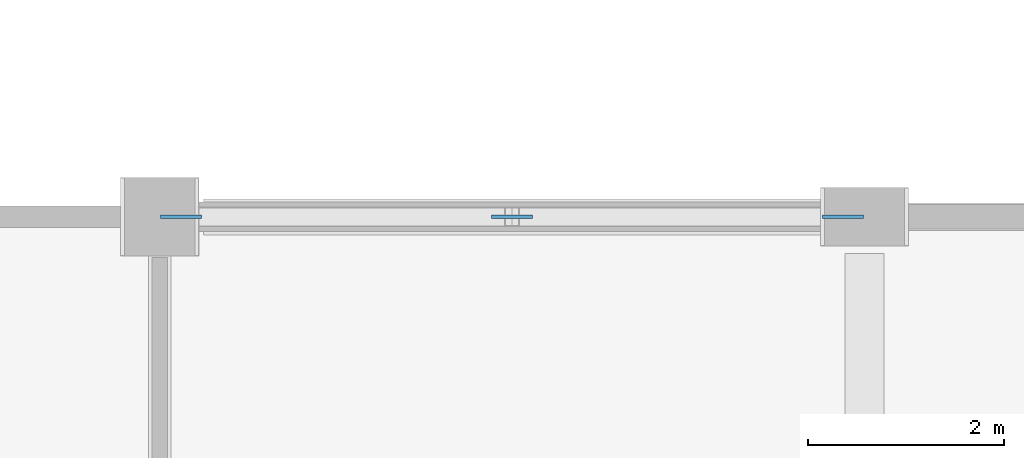
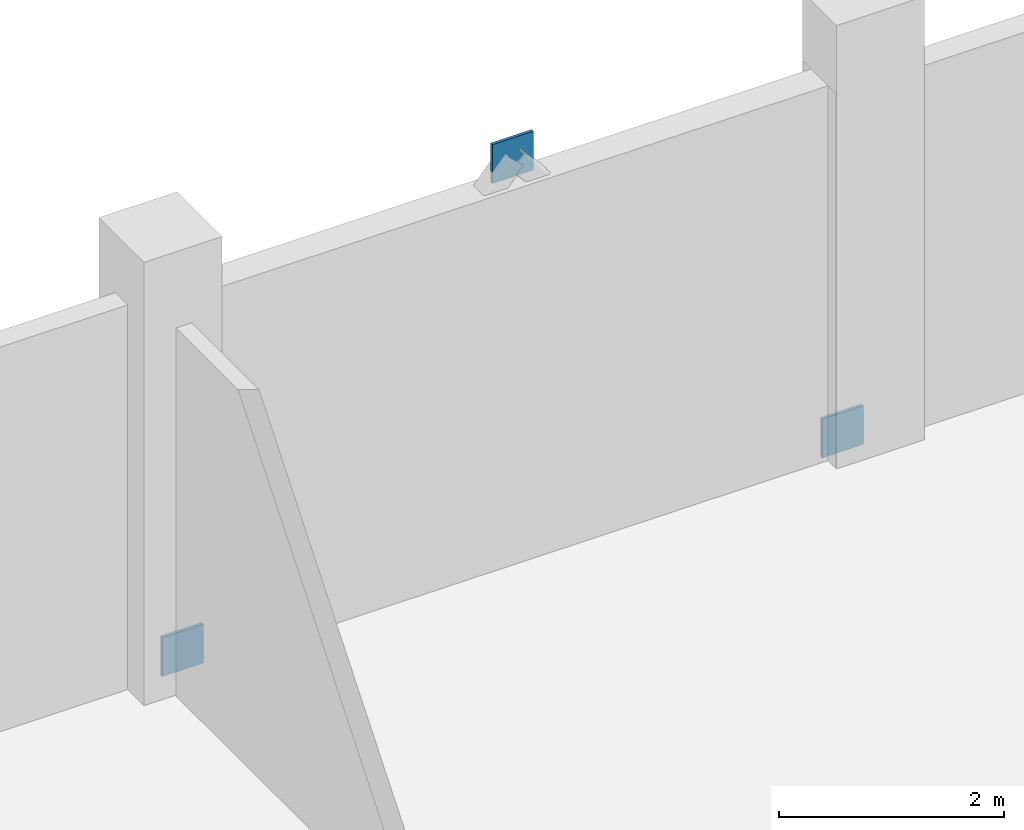
# One storey, part 152 of 186: 3 plates.
"""IFC4 building model written with IfcOpenShell, lengths in metres."""

from ifc_helpers import new_model, si_unit, direction, frame, origin, origin_2d, place, context, subcontext, project, spatial, rectangle, extrude, material, layer, layer_set, type_object, element, save


model = new_model("IFC4")

# Units and contexts
model_context = context("Model", 3, precision=1e-05, world=origin(), true_north=direction((0.0, 1.0)))
body_context = subcontext(model_context, "Body", "Model", "MODEL_VIEW")
ifc_project = project(units=[si_unit("LENGTHUNIT", "METRE"), si_unit("AREAUNIT", "SQUARE_METRE"), si_unit("VOLUMEUNIT", "CUBIC_METRE"), si_unit("PLANEANGLEUNIT", "RADIAN"), si_unit("MASSUNIT", "GRAM", prefix="KILO")], contexts=[model_context])

# Site, building, storey
site_placement = place(None, origin())
site = spatial("IfcSite", under=ifc_project, at=site_placement, CompositionType="ELEMENT")
building_placement = place(site_placement, origin())
building = spatial("IfcBuilding", under=site, at=building_placement, Name="Calvrana Isthmian Art Gallery", CompositionType="ELEMENT")
storey_placement = place(building_placement, frame((0.0, 0.0, 5.39990234375)))
storey = spatial("IfcBuildingStorey", under=building, at=storey_placement, Name="L01", CompositionType="ELEMENT", Elevation=5.39990234375)

# Plates
ifc_material = material(Name="Steel ASTM A572 Gr 50", Category="steel")
ifc_layer = layer(ifc_material, 0.031982421875, Name="Steel ASTM A572 Gr 50")
ifc_layer_set = layer_set([ifc_layer], Name="Steel ASTM A572 Gr 50")
plate_type = type_object("IfcPlateType", Name="PL-GUSSET-32", PredefinedType="USERDEFINED", material=ifc_layer_set)
for number, where, z_axis, x_axis, name in (
    (1, (120.219970703125, 98.39990234375, -0.059814453125), (0.0, 0.0, 1.0), (1.0, 0.0, 0.0), "Chevron brace gusset plate L01-14L"),
    (2, (123.60009765625, 98.39990234375, 4.09423828125), (0.0, 0.0, 1.0), (1.0, 0.0, 0.0), "Chevron brace gusset plate L01-14M"),
    (3, (126.97998046875, 98.39990234375, -0.059814453125), (0.0, 0.0, 1.0), (1.0, 0.0, 0.0), "Chevron brace gusset plate L01-14R"),
):
    element("IfcPlate", number, at=place(storey_placement, frame(where, z_axis=z_axis, x_axis=x_axis)), inside=storey, type_object=plate_type, Name=name, ObjectType="GUSSET PLATE", PredefinedType="USERDEFINED", context=body_context, shape_type="SweptSolid", body=[
        extrude(rectangle(XDim=0.419921875, YDim=0.031982421875, at=origin_2d()), origin(), (0.0, 0.0, 1.0), 0.419921875),
    ])

save(model, "model.ifc")
